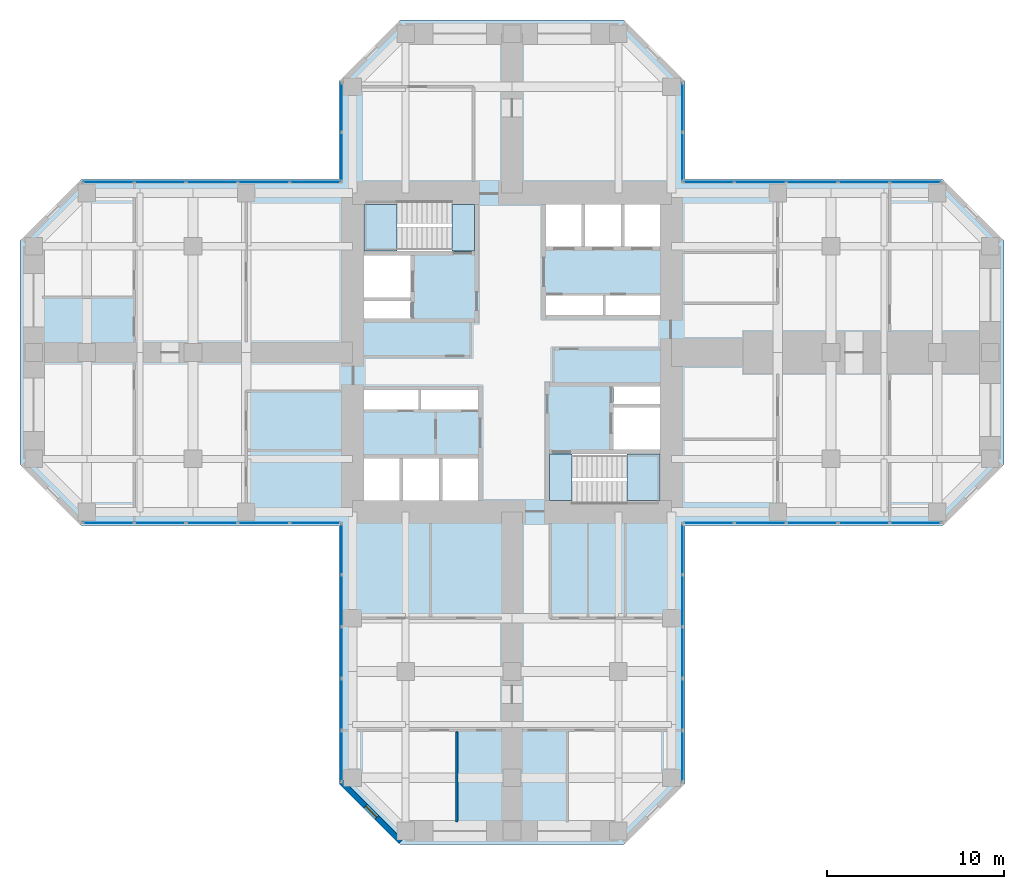
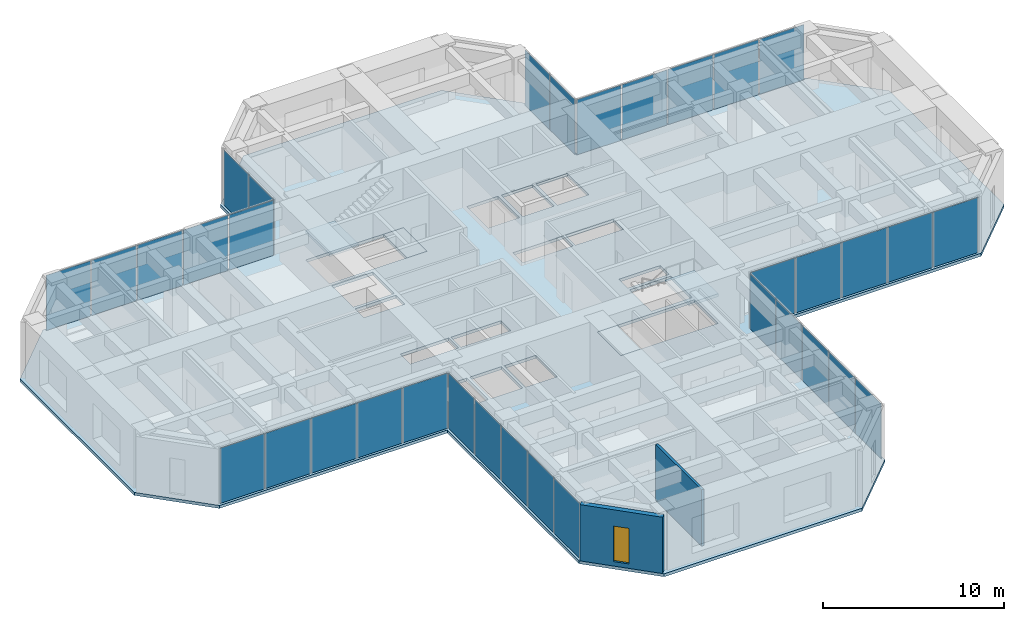
# One storey, part 7 of 13: 34 plates, 5 slabs, 2 walls, 1 window, 1 opening, 10 elements without a shape of their own.
"""IFC4 building model written with IfcOpenShell, lengths in metres."""

from ifc_helpers import new_model, si_unit, direction, frame, frame_2d, origin, origin_2d, place, context, subcontext, project, spatial, polyline, rectangle, hollow_rectangle, outline, extrude, material, layer, layer_set, constituent, constituent_set, type_object, element, fill, aggregate, save


model = new_model("IFC4")

# Units and contexts
model_context = context("Model", 3, precision=1e-05, world=origin(), true_north=direction((0.0, 1.0)))
body_context = subcontext(model_context, "Body", "Model", "MODEL_VIEW")
ifc_project = project(units=[si_unit("LENGTHUNIT", "METRE"), si_unit("AREAUNIT", "SQUARE_METRE"), si_unit("VOLUMEUNIT", "CUBIC_METRE"), si_unit("PLANEANGLEUNIT", "RADIAN"), si_unit("MASSUNIT", "GRAM", prefix="KILO")], contexts=[model_context])

# Site, building, storey
site_placement = place(None, origin())
site = spatial("IfcSite", under=ifc_project, at=site_placement, CompositionType="ELEMENT")
building_placement = place(site_placement, origin())
building = spatial("IfcBuilding", under=site, at=building_placement, Name="Torre Cruceta", CompositionType="ELEMENT")
storey_placement = place(building_placement, frame((0.0, 0.0, 156.5)))
storey = spatial("IfcBuildingStorey", under=building, at=storey_placement, Name="L38", CompositionType="ELEMENT", Elevation=156.5)

# Curtain wall, plate
ifc_material_1 = material(Name="Aluminium unitised curtain wall", Category="aluminium")
curtain_wall_type = type_object("IfcCurtainWallType", Name="CURTAIN WALL CW-B OFFICE MID RISE", PredefinedType="USERDEFINED", material=ifc_material_1)
curtain_wall_1_placement = place(storey_placement, origin())
curtain_wall_1 = element("IfcCurtainWall", 1, at=curtain_wall_1_placement, inside=storey, type_object=curtain_wall_type, Name="CW-B L38 E side 00", ObjectType="UNITISED", PredefinedType="USERDEFINED")
ifc_material_2 = material(Name="Laminated insulating glass unit, diagonal frit 50 %", Category="glass")
ifc_material_3 = material(Name="Laminated insulating glass unit, diagonal frit 50 %", Category="glass")
ifc_layer_1 = layer(ifc_material_3, 0.031982421875)
ifc_layer_set_1 = layer_set([ifc_layer_1], Name="Laminated insulating glass unit, diagonal frit 50 %")
plate_type_1 = type_object("IfcPlateType", Name="CW-B OPERABLE VENT PANEL 32", PredefinedType="CURTAIN_PANEL", material=ifc_layer_set_1)
plate_1_placement = place(storey_placement, frame((16.9384765625, -9.6201171875, 0.010009765625), z_axis=(0.0, 0.0, 1.0), x_axis=(1.0, 0.0, 0.0)))
plate_1 = element("IfcPlate", 2, at=plate_1_placement, type_object=plate_type_1, material=ifc_material_2, Name="CW-B vent 3", PredefinedType="CURTAIN_PANEL", context=body_context, shape_type="SweptSolid", body=[
    extrude(rectangle(XDim=2.8623046875, YDim=0.031982421875, at=origin_2d()), origin(), (0.0, 0.0, 1.0), 3.72509765625),
])

curtain_wall_2_placement = place(storey_placement, origin())
curtain_wall_2 = element("IfcCurtainWall", 3, at=curtain_wall_2_placement, inside=storey, type_object=curtain_wall_type, Name="CW-B L38 E side 04", ObjectType="UNITISED", PredefinedType="USERDEFINED")
plate_2_placement = place(storey_placement, frame((16.9384765625, 9.6201171875, 0.010009765625), z_axis=(0.0, 0.0, 1.0), x_axis=(-1.0, 0.0, 0.0)))
plate_2 = element("IfcPlate", 4, at=plate_2_placement, type_object=plate_type_1, material=ifc_material_2, Name="CW-B vent 3", PredefinedType="CURTAIN_PANEL", context=body_context, shape_type="SweptSolid", body=[
    extrude(rectangle(XDim=2.8623046875, YDim=0.031982421875, at=origin_2d()), origin(), (0.0, 0.0, 1.0), 3.72509765625),
])

curtain_wall_3_placement = place(storey_placement, origin())
curtain_wall_3 = element("IfcCurtainWall", 5, at=curtain_wall_3_placement, inside=storey, type_object=curtain_wall_type, Name="CW-B L38 W side 10", ObjectType="UNITISED", PredefinedType="USERDEFINED")
plate_3_placement = place(storey_placement, frame((-16.9384765625, 9.6201171875, 0.010009765625), z_axis=(0.0, 0.0, 1.0), x_axis=(-1.0, 0.0, 0.0)))
plate_3 = element("IfcPlate", 6, at=plate_3_placement, type_object=plate_type_1, material=ifc_material_2, Name="CW-B vent 3", PredefinedType="CURTAIN_PANEL", context=body_context, shape_type="SweptSolid", body=[
    extrude(rectangle(XDim=2.8623046875, YDim=0.031982421875, at=origin_2d()), origin(), (0.0, 0.0, 1.0), 3.72509765625),
])

curtain_wall_4_placement = place(storey_placement, origin())
curtain_wall_4 = element("IfcCurtainWall", 7, at=curtain_wall_4_placement, inside=storey, type_object=curtain_wall_type, Name="CW-B L38 W side 14", ObjectType="UNITISED", PredefinedType="USERDEFINED")
plate_4_placement = place(storey_placement, frame((-16.9384765625, -9.6201171875, 0.010009765625), z_axis=(0.0, 0.0, 1.0), x_axis=(1.0, 0.0, 0.0)))
plate_4 = element("IfcPlate", 8, at=plate_4_placement, type_object=plate_type_1, material=ifc_material_2, Name="CW-B vent 3", PredefinedType="CURTAIN_PANEL", context=body_context, shape_type="SweptSolid", body=[
    extrude(rectangle(XDim=2.8623046875, YDim=0.031982421875, at=origin_2d()), origin(), (0.0, 0.0, 1.0), 3.72509765625),
])

curtain_wall_5_placement = place(storey_placement, origin())
curtain_wall_5 = element("IfcCurtainWall", 9, at=curtain_wall_5_placement, inside=storey, type_object=curtain_wall_type, Name="CW-B L38 S side 15", ObjectType="UNITISED", PredefinedType="USERDEFINED")
plate_5_placement = place(storey_placement, frame((-9.6201171875, -16.9384765625, 0.010009765625), z_axis=(0.0, 0.0, 1.0), x_axis=(0.0, -1.0, 0.0)))
plate_5 = element("IfcPlate", 10, at=plate_5_placement, type_object=plate_type_1, material=ifc_material_2, Name="CW-B vent 3", PredefinedType="CURTAIN_PANEL", context=body_context, shape_type="SweptSolid", body=[
    extrude(rectangle(XDim=2.8623046875, YDim=0.031982421875, at=origin_2d()), origin(), (0.0, 0.0, 1.0), 3.72509765625),
])

curtain_wall_6_placement = place(storey_placement, origin())
curtain_wall_6 = element("IfcCurtainWall", 11, at=curtain_wall_6_placement, inside=storey, type_object=curtain_wall_type, Name="CW-B L38 S side 19", ObjectType="UNITISED", PredefinedType="USERDEFINED")
plate_6_placement = place(storey_placement, frame((9.6201171875, -16.9384765625, 0.010009765625), z_axis=(0.0, 0.0, 1.0), x_axis=(0.0, 1.0, 0.0)))
plate_6 = element("IfcPlate", 12, at=plate_6_placement, type_object=plate_type_1, material=ifc_material_2, Name="CW-B vent 3", PredefinedType="CURTAIN_PANEL", context=body_context, shape_type="SweptSolid", body=[
    extrude(rectangle(XDim=2.8623046875, YDim=0.031982421875, at=origin_2d()), origin(), (0.0, 0.0, 1.0), 3.72509765625),
])

# Plate
ifc_material_4 = material(Name="Laminated insulating glass unit, diagonal frit 50 %", Category="glass")
ifc_layer_2 = layer(ifc_material_4, 0.031982421875)
ifc_layer_set_2 = layer_set([ifc_layer_2], Name="Laminated insulating glass unit, diagonal frit 50 %")
plate_type_2 = type_object("IfcPlateType", Name="CW-B PANEL 32", PredefinedType="CURTAIN_PANEL", material=ifc_layer_set_2)
plate_7_placement = place(storey_placement, frame((11.099853515625, -9.6201171875, 0.010009765625), z_axis=(0.0, 0.0, 1.0), x_axis=(1.0, 0.0, 0.0)))
plate_7 = element("IfcPlate", 13, at=plate_7_placement, type_object=plate_type_2, material=ifc_material_2, Name="CW-B panel 1", PredefinedType="CURTAIN_PANEL", context=body_context, shape_type="SweptSolid", body=[
    extrude(rectangle(XDim=2.829833984375, YDim=0.031982421875, at=origin_2d()), origin(), (0.0, 0.0, 1.0), 3.72509765625),
])

plate_8_placement = place(storey_placement, frame((14.010986328125, -9.6201171875, 0.010009765625), z_axis=(0.0, 0.0, 1.0), x_axis=(1.0, 0.0, 0.0)))
plate_8 = element("IfcPlate", 14, at=plate_8_placement, type_object=plate_type_2, material=ifc_material_2, Name="CW-B panel 2", PredefinedType="CURTAIN_PANEL", context=body_context, shape_type="SweptSolid", body=[
    extrude(rectangle(XDim=2.8623046875, YDim=0.031982421875, at=origin_2d()), origin(), (0.0, 0.0, 1.0), 3.72509765625),
])

plate_9_placement = place(storey_placement, frame((19.86572265625, -9.6201171875, 0.010009765625), z_axis=(0.0, 0.0, 1.0), x_axis=(1.0, 0.0, 0.0)))
plate_9 = element("IfcPlate", 15, at=plate_9_placement, type_object=plate_type_2, material=ifc_material_2, Name="CW-B panel 4", PredefinedType="CURTAIN_PANEL", context=body_context, shape_type="SweptSolid", body=[
    extrude(rectangle(XDim=2.8623046875, YDim=0.031982421875, at=origin_2d()), origin(), (0.0, 0.0, 1.0), 3.72509765625),
])

ifc_material_5 = material(Name="Laminated insulating glass unit, low-iron clear", Category="glass")
plate_10_placement = place(storey_placement, frame((22.77685546875, -9.6201171875, 0.010009765625), z_axis=(0.0, 0.0, 1.0), x_axis=(1.0, 0.0, 0.0)))
plate_10 = element("IfcPlate", 16, at=plate_10_placement, type_object=plate_type_2, material=ifc_material_5, Name="CW-B panel 5", PredefinedType="CURTAIN_PANEL", context=body_context, shape_type="SweptSolid", body=[
    extrude(rectangle(XDim=2.829833984375, YDim=0.031982421875, at=origin_2d()), origin(), (0.0, 0.0, 1.0), 3.72509765625),
])

aggregate(curtain_wall_1, [plate_7, plate_8, plate_1, plate_9, plate_10])

plate_11_placement = place(storey_placement, frame((22.77685546875, 9.6201171875, 0.010009765625), z_axis=(0.0, 0.0, 1.0), x_axis=(-1.0, 0.0, 0.0)))
plate_11 = element("IfcPlate", 17, at=plate_11_placement, type_object=plate_type_2, material=ifc_material_2, Name="CW-B panel 1", PredefinedType="CURTAIN_PANEL", context=body_context, shape_type="SweptSolid", body=[
    extrude(rectangle(XDim=2.829833984375, YDim=0.031982421875, at=origin_2d()), origin(), (0.0, 0.0, 1.0), 3.72509765625),
])

plate_12_placement = place(storey_placement, frame((19.86572265625, 9.6201171875, 0.010009765625), z_axis=(0.0, 0.0, 1.0), x_axis=(-1.0, 0.0, 0.0)))
plate_12 = element("IfcPlate", 18, at=plate_12_placement, type_object=plate_type_2, material=ifc_material_2, Name="CW-B panel 2", PredefinedType="CURTAIN_PANEL", context=body_context, shape_type="SweptSolid", body=[
    extrude(rectangle(XDim=2.8623046875, YDim=0.031982421875, at=origin_2d()), origin(), (0.0, 0.0, 1.0), 3.72509765625),
])

plate_13_placement = place(storey_placement, frame((14.010986328125, 9.6201171875, 0.010009765625), z_axis=(0.0, 0.0, 1.0), x_axis=(-1.0, 0.0, 0.0)))
plate_13 = element("IfcPlate", 19, at=plate_13_placement, type_object=plate_type_2, material=ifc_material_2, Name="CW-B panel 4", PredefinedType="CURTAIN_PANEL", context=body_context, shape_type="SweptSolid", body=[
    extrude(rectangle(XDim=2.8623046875, YDim=0.031982421875, at=origin_2d()), origin(), (0.0, 0.0, 1.0), 3.72509765625),
])

plate_14_placement = place(storey_placement, frame((11.099853515625, 9.6201171875, 0.010009765625), z_axis=(0.0, 0.0, 1.0), x_axis=(-1.0, 0.0, 0.0)))
plate_14 = element("IfcPlate", 20, at=plate_14_placement, type_object=plate_type_2, material=ifc_material_5, Name="CW-B panel 5", PredefinedType="CURTAIN_PANEL", context=body_context, shape_type="SweptSolid", body=[
    extrude(rectangle(XDim=2.829833984375, YDim=0.031982421875, at=origin_2d()), origin(), (0.0, 0.0, 1.0), 3.72509765625),
])

aggregate(curtain_wall_2, [plate_11, plate_12, plate_2, plate_13, plate_14])

# Curtain wall, plates
curtain_wall_7_placement = place(storey_placement, origin())
curtain_wall_7 = element("IfcCurtainWall", 21, at=curtain_wall_7_placement, inside=storey, type_object=curtain_wall_type, Name="CW-B L38 N side 05", ObjectType="UNITISED", PredefinedType="USERDEFINED")
plate_15_placement = place(storey_placement, frame((9.6201171875, 11.04541015625, 0.010009765625), z_axis=(0.0, 0.0, 1.0), x_axis=(0.0, 1.0, 0.0)))
plate_15 = element("IfcPlate", 22, at=plate_15_placement, type_object=plate_type_2, material=ifc_material_2, Name="CW-B panel 1", PredefinedType="CURTAIN_PANEL", context=body_context, shape_type="SweptSolid", body=[
    extrude(rectangle(XDim=2.720947265625, YDim=0.031982421875, at=origin_2d()), origin(), (0.0, 0.0, 1.0), 3.72509765625),
])
plate_16_placement = place(storey_placement, frame((9.6201171875, 13.831298828125, 0.010009765625), z_axis=(0.0, 0.0, 1.0), x_axis=(0.0, 1.0, 0.0)))
plate_16 = element("IfcPlate", 23, at=plate_16_placement, type_object=plate_type_2, material=ifc_material_2, Name="CW-B panel 2", PredefinedType="CURTAIN_PANEL", context=body_context, shape_type="SweptSolid", body=[
    extrude(rectangle(XDim=2.720947265625, YDim=0.031982421875, at=origin_2d()), origin(), (0.0, 0.0, 1.0), 3.72509765625),
])
aggregate(curtain_wall_7, [plate_15, plate_16])

curtain_wall_8_placement = place(storey_placement, origin())
curtain_wall_8 = element("IfcCurtainWall", 24, at=curtain_wall_8_placement, inside=storey, type_object=curtain_wall_type, Name="CW-B L38 N side 09", ObjectType="UNITISED", PredefinedType="USERDEFINED")
plate_17_placement = place(storey_placement, frame((-9.6201171875, 13.831298828125, 0.010009765625), z_axis=(0.0, 0.0, 1.0), x_axis=(0.0, -1.0, 0.0)))
plate_17 = element("IfcPlate", 25, at=plate_17_placement, type_object=plate_type_2, material=ifc_material_2, Name="CW-B panel 1", PredefinedType="CURTAIN_PANEL", context=body_context, shape_type="SweptSolid", body=[
    extrude(rectangle(XDim=2.720947265625, YDim=0.031982421875, at=origin_2d()), origin(), (0.0, 0.0, 1.0), 3.72509765625),
])
plate_18_placement = place(storey_placement, frame((-9.6201171875, 11.04541015625, 0.010009765625), z_axis=(0.0, 0.0, 1.0), x_axis=(0.0, -1.0, 0.0)))
plate_18 = element("IfcPlate", 26, at=plate_18_placement, type_object=plate_type_2, material=ifc_material_2, Name="CW-B panel 2", PredefinedType="CURTAIN_PANEL", context=body_context, shape_type="SweptSolid", body=[
    extrude(rectangle(XDim=2.720947265625, YDim=0.031982421875, at=origin_2d()), origin(), (0.0, 0.0, 1.0), 3.72509765625),
])
aggregate(curtain_wall_8, [plate_17, plate_18])

# Plate
plate_19_placement = place(storey_placement, frame((-11.099853515625, 9.6201171875, 0.010009765625), z_axis=(0.0, 0.0, 1.0), x_axis=(-1.0, 0.0, 0.0)))
plate_19 = element("IfcPlate", 27, at=plate_19_placement, type_object=plate_type_2, material=ifc_material_2, Name="CW-B panel 1", PredefinedType="CURTAIN_PANEL", context=body_context, shape_type="SweptSolid", body=[
    extrude(rectangle(XDim=2.829833984375, YDim=0.031982421875, at=origin_2d()), origin(), (0.0, 0.0, 1.0), 3.72509765625),
])

plate_20_placement = place(storey_placement, frame((-14.010986328125, 9.6201171875, 0.010009765625), z_axis=(0.0, 0.0, 1.0), x_axis=(-1.0, 0.0, 0.0)))
plate_20 = element("IfcPlate", 28, at=plate_20_placement, type_object=plate_type_2, material=ifc_material_2, Name="CW-B panel 2", PredefinedType="CURTAIN_PANEL", context=body_context, shape_type="SweptSolid", body=[
    extrude(rectangle(XDim=2.8623046875, YDim=0.031982421875, at=origin_2d()), origin(), (0.0, 0.0, 1.0), 3.72509765625),
])

plate_21_placement = place(storey_placement, frame((-19.86572265625, 9.6201171875, 0.010009765625), z_axis=(0.0, 0.0, 1.0), x_axis=(-1.0, 0.0, 0.0)))
plate_21 = element("IfcPlate", 29, at=plate_21_placement, type_object=plate_type_2, material=ifc_material_2, Name="CW-B panel 4", PredefinedType="CURTAIN_PANEL", context=body_context, shape_type="SweptSolid", body=[
    extrude(rectangle(XDim=2.8623046875, YDim=0.031982421875, at=origin_2d()), origin(), (0.0, 0.0, 1.0), 3.72509765625),
])

plate_22_placement = place(storey_placement, frame((-22.77685546875, 9.6201171875, 0.010009765625), z_axis=(0.0, 0.0, 1.0), x_axis=(-1.0, 0.0, 0.0)))
plate_22 = element("IfcPlate", 30, at=plate_22_placement, type_object=plate_type_2, material=ifc_material_5, Name="CW-B panel 5", PredefinedType="CURTAIN_PANEL", context=body_context, shape_type="SweptSolid", body=[
    extrude(rectangle(XDim=2.829833984375, YDim=0.031982421875, at=origin_2d()), origin(), (0.0, 0.0, 1.0), 3.72509765625),
])

aggregate(curtain_wall_3, [plate_19, plate_20, plate_3, plate_21, plate_22])

plate_23_placement = place(storey_placement, frame((-22.77685546875, -9.6201171875, 0.010009765625), z_axis=(0.0, 0.0, 1.0), x_axis=(1.0, 0.0, 0.0)))
plate_23 = element("IfcPlate", 31, at=plate_23_placement, type_object=plate_type_2, material=ifc_material_2, Name="CW-B panel 1", PredefinedType="CURTAIN_PANEL", context=body_context, shape_type="SweptSolid", body=[
    extrude(rectangle(XDim=2.829833984375, YDim=0.031982421875, at=origin_2d()), origin(), (0.0, 0.0, 1.0), 3.72509765625),
])

plate_24_placement = place(storey_placement, frame((-19.86572265625, -9.6201171875, 0.010009765625), z_axis=(0.0, 0.0, 1.0), x_axis=(1.0, 0.0, 0.0)))
plate_24 = element("IfcPlate", 32, at=plate_24_placement, type_object=plate_type_2, material=ifc_material_2, Name="CW-B panel 2", PredefinedType="CURTAIN_PANEL", context=body_context, shape_type="SweptSolid", body=[
    extrude(rectangle(XDim=2.8623046875, YDim=0.031982421875, at=origin_2d()), origin(), (0.0, 0.0, 1.0), 3.72509765625),
])

plate_25_placement = place(storey_placement, frame((-14.010986328125, -9.6201171875, 0.010009765625), z_axis=(0.0, 0.0, 1.0), x_axis=(1.0, 0.0, 0.0)))
plate_25 = element("IfcPlate", 33, at=plate_25_placement, type_object=plate_type_2, material=ifc_material_2, Name="CW-B panel 4", PredefinedType="CURTAIN_PANEL", context=body_context, shape_type="SweptSolid", body=[
    extrude(rectangle(XDim=2.8623046875, YDim=0.031982421875, at=origin_2d()), origin(), (0.0, 0.0, 1.0), 3.72509765625),
])

plate_26_placement = place(storey_placement, frame((-11.099853515625, -9.6201171875, 0.010009765625), z_axis=(0.0, 0.0, 1.0), x_axis=(1.0, 0.0, 0.0)))
plate_26 = element("IfcPlate", 34, at=plate_26_placement, type_object=plate_type_2, material=ifc_material_5, Name="CW-B panel 5", PredefinedType="CURTAIN_PANEL", context=body_context, shape_type="SweptSolid", body=[
    extrude(rectangle(XDim=2.829833984375, YDim=0.031982421875, at=origin_2d()), origin(), (0.0, 0.0, 1.0), 3.72509765625),
])

aggregate(curtain_wall_4, [plate_23, plate_24, plate_4, plate_25, plate_26])

plate_27_placement = place(storey_placement, frame((-9.6201171875, -11.099853515625, 0.010009765625), z_axis=(0.0, 0.0, 1.0), x_axis=(0.0, -1.0, 0.0)))
plate_27 = element("IfcPlate", 35, at=plate_27_placement, type_object=plate_type_2, material=ifc_material_2, Name="CW-B panel 1", PredefinedType="CURTAIN_PANEL", context=body_context, shape_type="SweptSolid", body=[
    extrude(rectangle(XDim=2.829833984375, YDim=0.031982421875, at=origin_2d()), origin(), (0.0, 0.0, 1.0), 3.72509765625),
])

plate_28_placement = place(storey_placement, frame((-9.6201171875, -14.010986328125, 0.010009765625), z_axis=(0.0, 0.0, 1.0), x_axis=(0.0, -1.0, 0.0)))
plate_28 = element("IfcPlate", 36, at=plate_28_placement, type_object=plate_type_2, material=ifc_material_2, Name="CW-B panel 2", PredefinedType="CURTAIN_PANEL", context=body_context, shape_type="SweptSolid", body=[
    extrude(rectangle(XDim=2.8623046875, YDim=0.031982421875, at=origin_2d()), origin(), (0.0, 0.0, 1.0), 3.72509765625),
])

plate_29_placement = place(storey_placement, frame((-9.6201171875, -19.86572265625, 0.010009765625), z_axis=(0.0, 0.0, 1.0), x_axis=(0.0, -1.0, 0.0)))
plate_29 = element("IfcPlate", 37, at=plate_29_placement, type_object=plate_type_2, material=ifc_material_2, Name="CW-B panel 4", PredefinedType="CURTAIN_PANEL", context=body_context, shape_type="SweptSolid", body=[
    extrude(rectangle(XDim=2.8623046875, YDim=0.031982421875, at=origin_2d()), origin(), (0.0, 0.0, 1.0), 3.72509765625),
])

plate_30_placement = place(storey_placement, frame((-9.6201171875, -22.77685546875, 0.010009765625), z_axis=(0.0, 0.0, 1.0), x_axis=(0.0, -1.0, 0.0)))
plate_30 = element("IfcPlate", 38, at=plate_30_placement, type_object=plate_type_2, material=ifc_material_5, Name="CW-B panel 5", PredefinedType="CURTAIN_PANEL", context=body_context, shape_type="SweptSolid", body=[
    extrude(rectangle(XDim=2.829833984375, YDim=0.031982421875, at=origin_2d()), origin(), (0.0, 0.0, 1.0), 3.72509765625),
])

aggregate(curtain_wall_5, [plate_27, plate_28, plate_5, plate_29, plate_30])

plate_31_placement = place(storey_placement, frame((9.6201171875, -22.77685546875, 0.010009765625), z_axis=(0.0, 0.0, 1.0), x_axis=(0.0, 1.0, 0.0)))
plate_31 = element("IfcPlate", 39, at=plate_31_placement, type_object=plate_type_2, material=ifc_material_2, Name="CW-B panel 1", PredefinedType="CURTAIN_PANEL", context=body_context, shape_type="SweptSolid", body=[
    extrude(rectangle(XDim=2.829833984375, YDim=0.031982421875, at=origin_2d()), origin(), (0.0, 0.0, 1.0), 3.72509765625),
])

plate_32_placement = place(storey_placement, frame((9.6201171875, -19.86572265625, 0.010009765625), z_axis=(0.0, 0.0, 1.0), x_axis=(0.0, 1.0, 0.0)))
plate_32 = element("IfcPlate", 40, at=plate_32_placement, type_object=plate_type_2, material=ifc_material_2, Name="CW-B panel 2", PredefinedType="CURTAIN_PANEL", context=body_context, shape_type="SweptSolid", body=[
    extrude(rectangle(XDim=2.8623046875, YDim=0.031982421875, at=origin_2d()), origin(), (0.0, 0.0, 1.0), 3.72509765625),
])

plate_33_placement = place(storey_placement, frame((9.6201171875, -14.010986328125, 0.010009765625), z_axis=(0.0, 0.0, 1.0), x_axis=(0.0, 1.0, 0.0)))
plate_33 = element("IfcPlate", 41, at=plate_33_placement, type_object=plate_type_2, material=ifc_material_2, Name="CW-B panel 4", PredefinedType="CURTAIN_PANEL", context=body_context, shape_type="SweptSolid", body=[
    extrude(rectangle(XDim=2.8623046875, YDim=0.031982421875, at=origin_2d()), origin(), (0.0, 0.0, 1.0), 3.72509765625),
])

plate_34_placement = place(storey_placement, frame((9.6201171875, -11.099853515625, 0.010009765625), z_axis=(0.0, 0.0, 1.0), x_axis=(0.0, 1.0, 0.0)))
plate_34 = element("IfcPlate", 42, at=plate_34_placement, type_object=plate_type_2, material=ifc_material_5, Name="CW-B panel 5", PredefinedType="CURTAIN_PANEL", context=body_context, shape_type="SweptSolid", body=[
    extrude(rectangle(XDim=2.829833984375, YDim=0.031982421875, at=origin_2d()), origin(), (0.0, 0.0, 1.0), 3.72509765625),
])

aggregate(curtain_wall_6, [plate_31, plate_32, plate_6, plate_33, plate_34])

# Slab
ifc_material_6 = material(Name="Concrete G35 (fck 35 MPa)", Category="concrete")
ifc_layer_3 = layer(ifc_material_6, 0.199951171875)
ifc_layer_set_3 = layer_set([ifc_layer_3], Name="Concrete G35 (fck 35 MPa)")
slab_type_1 = type_object("IfcSlabType", Name="FLOOR SLAB 200", PredefinedType="FLOOR", material=ifc_layer_set_3)
slab_1_placement = place(storey_placement, frame((0.0, 0.0, -0.199951171875)))
element("IfcSlab", 43, at=slab_1_placement, inside=storey, type_object=slab_type_1, Name="Floor Slab L38", PredefinedType="FLOOR", context=body_context, shape_type="SweptSolid", body=[
    extrude(outline(polyline([(9.77001953125, -9.77001953125), (9.77001953125, -24.31884765625), (6.31884765625, -27.77001953125), (-6.31884765625, -27.77001953125), (-9.77001953125, -24.31884765625), (-9.77001953125, -9.77001953125), (-24.31884765625, -9.77001953125), (-27.77001953125, -6.31884765625), (-27.77001953125, 6.31884765625), (-24.31884765625, 9.77001953125), (-9.77001953125, 9.77001953125), (-9.77001953125, 15.31884765625), (-6.31884765625, 18.77001953125), (6.31884765625, 18.77001953125), (9.77001953125, 15.31884765625), (9.77001953125, 9.77001953125), (24.31884765625, 9.77001953125), (27.77001953125, 6.31884765625), (27.77001953125, -6.31884765625), (24.31884765625, -9.77001953125), (9.77001953125, -9.77001953125)]), holes=[polyline([(1.925048828125, 5.97509765625), (3.933349609375, 5.97509765625), (3.933349609375, 8.35009765625), (1.925048828125, 8.35009765625), (1.925048828125, 5.97509765625)]), polyline([(4.13330078125, 5.97509765625), (6.1416015625, 5.97509765625), (6.1416015625, 8.35009765625), (4.13330078125, 8.35009765625), (4.13330078125, 5.97509765625)]), polyline([(6.341552734375, 5.97509765625), (8.35009765625, 5.97509765625), (8.35009765625, 8.35009765625), (6.341552734375, 8.35009765625), (6.341552734375, 5.97509765625)]), polyline([(1.925048828125, 2.125), (5.125, 2.125), (5.125, 3.22509765625), (1.925048828125, 3.22509765625), (1.925048828125, 2.125)]), polyline([(5.27490234375, 2.125), (8.35009765625, 2.125), (8.35009765625, 3.22509765625), (5.27490234375, 3.22509765625), (5.27490234375, 2.125)]), polyline([(-8.35009765625, 3.10009765625), (-5.72509765625, 3.10009765625), (-5.72509765625, 5.47509765625), (-8.35009765625, 5.47509765625), (-8.35009765625, 3.10009765625)]), polyline([(-8.35009765625, 1.925048828125), (-5.72509765625, 1.925048828125), (-5.72509765625, 2.89990234375), (-8.35009765625, 2.89990234375), (-8.35009765625, 1.925048828125)]), polyline([(-3.933349609375, -8.35009765625), (-1.925048828125, -8.35009765625), (-1.925048828125, -5.97509765625), (-3.933349609375, -5.97509765625), (-3.933349609375, -8.35009765625)]), polyline([(-6.1416015625, -8.35009765625), (-4.13330078125, -8.35009765625), (-4.13330078125, -5.97509765625), (-6.1416015625, -5.97509765625), (-6.1416015625, -8.35009765625)]), polyline([(-8.35009765625, -8.35009765625), (-6.341552734375, -8.35009765625), (-6.341552734375, -5.97509765625), (-8.35009765625, -5.97509765625), (-8.35009765625, -8.35009765625)]), polyline([(-5.125, -3.22509765625), (-1.925048828125, -3.22509765625), (-1.925048828125, -2.125), (-5.125, -2.125), (-5.125, -3.22509765625)]), polyline([(-8.35009765625, -3.22509765625), (-5.27490234375, -3.22509765625), (-5.27490234375, -2.125), (-8.35009765625, -2.125), (-8.35009765625, -3.22509765625)]), polyline([(5.72509765625, -5.47509765625), (8.35009765625, -5.47509765625), (8.35009765625, -3.10009765625), (5.72509765625, -3.10009765625), (5.72509765625, -5.47509765625)]), polyline([(5.72509765625, -2.89990234375), (8.35009765625, -2.89990234375), (8.35009765625, -1.925048828125), (5.72509765625, -1.925048828125), (5.72509765625, -2.89990234375)]), polyline([(-8.35009765625, 5.72509765625), (-8.35009765625, 8.35009765625), (-3.39990234375, 8.35009765625), (-2.125, 8.35009765625), (-2.125, 5.72509765625), (-3.39990234375, 5.72509765625), (-8.35009765625, 5.72509765625)]), polyline([(2.125, -5.72509765625), (3.39990234375, -5.72509765625), (8.35009765625, -5.72509765625), (8.35009765625, -8.35009765625), (3.39990234375, -8.35009765625), (2.125, -8.35009765625), (2.125, -5.72509765625)])]), origin(), (0.0, 0.0, 1.0), 0.199951171875),
])

# Stair, slab
ifc_material_7 = material(Name="Concrete G30 (fck 30 MPa)", Category="concrete")
stair_type = type_object("IfcStairType", Name="STAIR HALF-TURN 1300", PredefinedType="HALF_TURN_STAIR", material=ifc_material_7)
stair_1_placement = place(storey_placement, origin())
stair_1 = element("IfcStair", 44, at=stair_1_placement, inside=storey, type_object=stair_type, Name="Stair ST1 L38", PredefinedType="HALF_TURN_STAIR")
ifc_material_8 = material(Name="Concrete G30 (fck 30 MPa)", Category="concrete")
ifc_layer_4 = layer(ifc_material_8, 0.199951171875)
ifc_layer_set_4 = layer_set([ifc_layer_4], Name="Concrete G30 (fck 30 MPa)")
slab_type_2 = type_object("IfcSlabType", Name="STAIR LANDING 200", PredefinedType="LANDING", material=ifc_layer_set_4)
slab_2_placement = place(storey_placement, frame((0.0, 0.0, 1.800048828125)))
slab_2 = element("IfcSlab", 45, at=slab_2_placement, type_object=slab_type_2, Name="ST1 landing 1", PredefinedType="LANDING", context=body_context, shape_type="SweptSolid", body=[
    extrude(outline(polyline([(-8.35009765625, 5.72509765625), (-6.47998046875, 5.72509765625), (-6.47998046875, 8.35009765625), (-8.35009765625, 8.35009765625), (-8.35009765625, 5.72509765625)])), origin(), (0.0, 0.0, 1.0), 0.199951171875),
])
aggregate(stair_1, [slab_2])

stair_2_placement = place(storey_placement, origin())
stair_2 = element("IfcStair", 46, at=stair_2_placement, inside=storey, type_object=stair_type, Name="Stair ST2 L38", PredefinedType="HALF_TURN_STAIR")
slab_3_placement = place(storey_placement, frame((0.0, 0.0, 1.800048828125)))
slab_3 = element("IfcSlab", 47, at=slab_3_placement, type_object=slab_type_2, Name="ST2 landing 1", PredefinedType="LANDING", context=body_context, shape_type="SweptSolid", body=[
    extrude(outline(polyline([(6.47998046875, -8.35009765625), (8.35009765625, -8.35009765625), (8.35009765625, -5.72509765625), (6.47998046875, -5.72509765625), (6.47998046875, -8.35009765625)])), origin(), (0.0, 0.0, 1.0), 0.199951171875),
])
aggregate(stair_2, [slab_3])

# Slabs
slab_4_placement = place(storey_placement, frame((0.0, 0.0, -0.199951171875)))
element("IfcSlab", 48, at=slab_4_placement, inside=storey, type_object=slab_type_2, Name="Stair ST1 floor landing L38", PredefinedType="LANDING", context=body_context, shape_type="SweptSolid", body=[
    extrude(outline(polyline([(-2.125, 8.35009765625), (-2.125, 5.72509765625), (-3.39990234375, 5.72509765625), (-3.39990234375, 8.35009765625), (-2.125, 8.35009765625)])), origin(), (0.0, 0.0, 1.0), 0.199951171875),
])
slab_5_placement = place(storey_placement, frame((0.0, 0.0, -0.199951171875)))
element("IfcSlab", 49, at=slab_5_placement, inside=storey, type_object=slab_type_2, Name="Stair ST2 floor landing L38", PredefinedType="LANDING", context=body_context, shape_type="SweptSolid", body=[
    extrude(outline(polyline([(2.125, -8.35009765625), (2.125, -5.72509765625), (3.39990234375, -5.72509765625), (3.39990234375, -8.35009765625), (2.125, -8.35009765625)])), origin(), (0.0, 0.0, 1.0), 0.199951171875),
])

# Wall, opening, window
ifc_material_9 = material(Name="Concrete G30 (fck 30 MPa)", Category="concrete")
ifc_layer_5 = layer(ifc_material_9, 0.300048828125)
ifc_layer_set_5 = layer_set([ifc_layer_5], Name="Concrete G30 (fck 30 MPa)")
wall_type_1 = type_object("IfcWallType", Name="EXPOSED CONCRETE FACADE WALL 300", PredefinedType="SOLIDWALL", material=ifc_layer_set_5)
wall_1_placement = place(storey_placement, frame((-9.6201171875, -24.2568359375, 0.0), z_axis=(0.0, 0.0, 1.0), x_axis=(0.707106781187, -0.707106781187, 0.0)))
wall_1 = element("IfcWall", 50, at=wall_1_placement, inside=storey, type_object=wall_type_1, Name="EW1 facade wall L38 S chamfer 16", PredefinedType="SOLIDWALL", context=body_context, shape_type="SweptSolid", body=[
    extrude(rectangle(XDim=4.72802734375, YDim=0.300048828125, at=frame_2d((2.364013671875, 0.0))), origin(), (0.0, 0.0, 1.0), 3.800048828125),
])
opening_placement = place(wall_1_placement, frame((1.9140625, 0.0, 0.300048828125)))
opening = element("IfcOpeningElement", 51, at=opening_placement, cuts=wall_1, Name="Opening WN5", PredefinedType="OPENING", context=body_context, shape_type="SweptSolid", body=[
    extrude(rectangle(XDim=0.89990234375, YDim=2.39990234375, at=frame_2d((0.449951171875, 1.199951171875))), frame((0.0, 0.159912109375, 0.0), z_axis=(0.0, -1.0, 0.0), x_axis=(1.0, 0.0, 0.0)), (0.0, 0.0, 1.0), 0.320068359375),
])
ifc_material_10 = material(Name="Aluminium window frame", Category="aluminium")
ifc_constituent_1 = constituent(ifc_material_10, Name="Frame")
ifc_material_11 = material(Name="Laminated insulating glass unit, low-iron clear", Category="glass")
ifc_constituent_2 = constituent(ifc_material_11, Name="Glazing")
ifc_constituent_set = constituent_set(constituents=[ifc_constituent_1, ifc_constituent_2], Name="Aluminium window")
window_type = type_object("IfcWindowType", Name="CHAMFER SLOT WINDOW 900X2400", PartitioningType="SINGLE_PANEL", PredefinedType="WINDOW", material=ifc_constituent_set)
window_placement = place(opening_placement, origin())
window = element("IfcWindow", 52, at=window_placement, inside=storey, type_object=window_type, Name="WN5 L38 S 1", OverallHeight=2.39990234375, OverallWidth=0.89990234375, PartitioningType="SINGLE_PANEL", PredefinedType="WINDOW", context=body_context, shape_type="SweptSolid", body=[
    extrude(hollow_rectangle(XDim=0.89990234375, YDim=2.39990234375, WallThickness=0.06005859375, at=frame_2d((0.449951171875, 1.199951171875))), frame((0.0, 0.030029296875, 0.0), z_axis=(0.0, -1.0, 0.0), x_axis=(1.0, 0.0, 0.0)), (0.0, 0.0, 1.0), 0.06005859375),
    extrude(rectangle(XDim=0.77880859375, YDim=2.27880859375, at=frame_2d((0.449951171875, 1.199951171875))), frame((0.0, 0.030029296875, 0.0), z_axis=(0.0, -1.0, 0.0), x_axis=(1.0, 0.0, 0.0)), (0.0, 0.0, 1.0), 0.06005859375),
])
fill(opening, window)

# Wall
ifc_material_12 = material(Name="Plasterboard on steel studs", Category="steel")
ifc_layer_6 = layer(ifc_material_12, 0.14990234375)
ifc_layer_set_6 = layer_set([ifc_layer_6], Name="Plasterboard on steel studs")
wall_type_2 = type_object("IfcWallType", Name="PARTITION 150", PredefinedType="PARTITIONING", material=ifc_layer_set_6)
wall_2_placement = place(storey_placement, frame((-3.117919921875, -21.419921875, 0.0), z_axis=(0.0, 0.0, 1.0), x_axis=(0.0, -1.0, 0.0)))
element("IfcWall", 53, at=wall_2_placement, inside=storey, type_object=wall_type_2, Name="PT1 L38-S-TDR", PredefinedType="PARTITIONING", context=body_context, shape_type="SweptSolid", body=[
    extrude(rectangle(XDim=5.080078125, YDim=0.14990234375, at=frame_2d((2.5400390625, 0.0))), origin(), (0.0, 0.0, 1.0), 3.800048828125),
])

save(model, "model.ifc")
